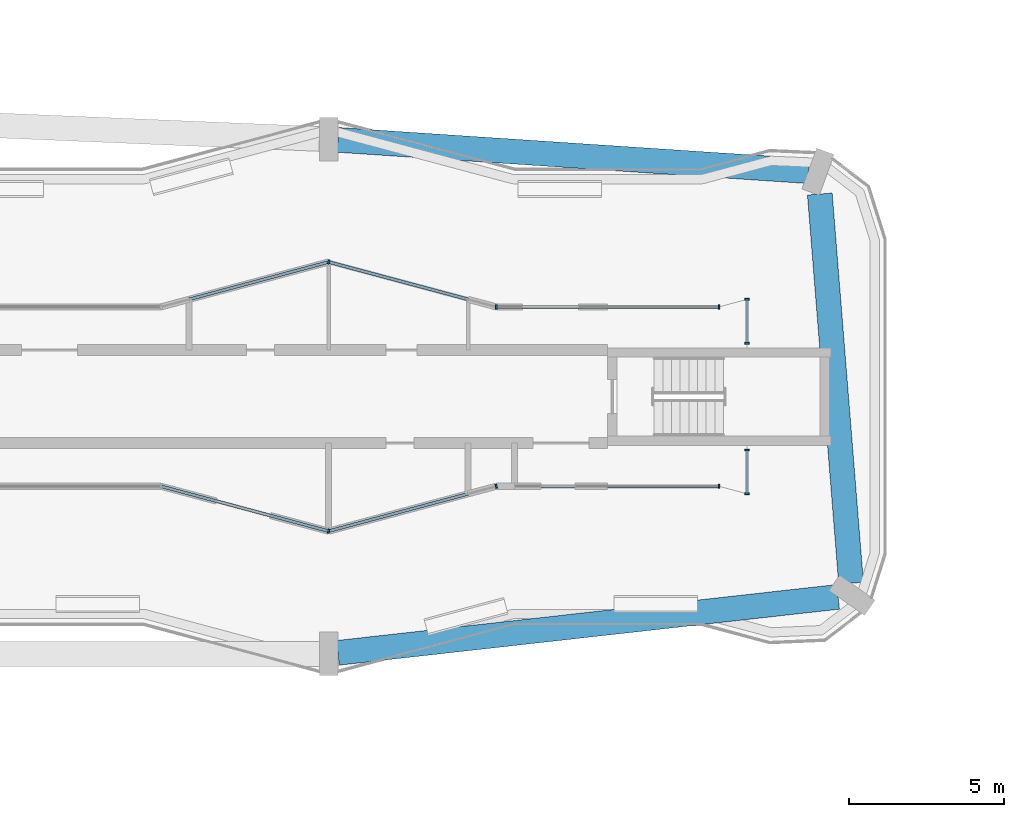
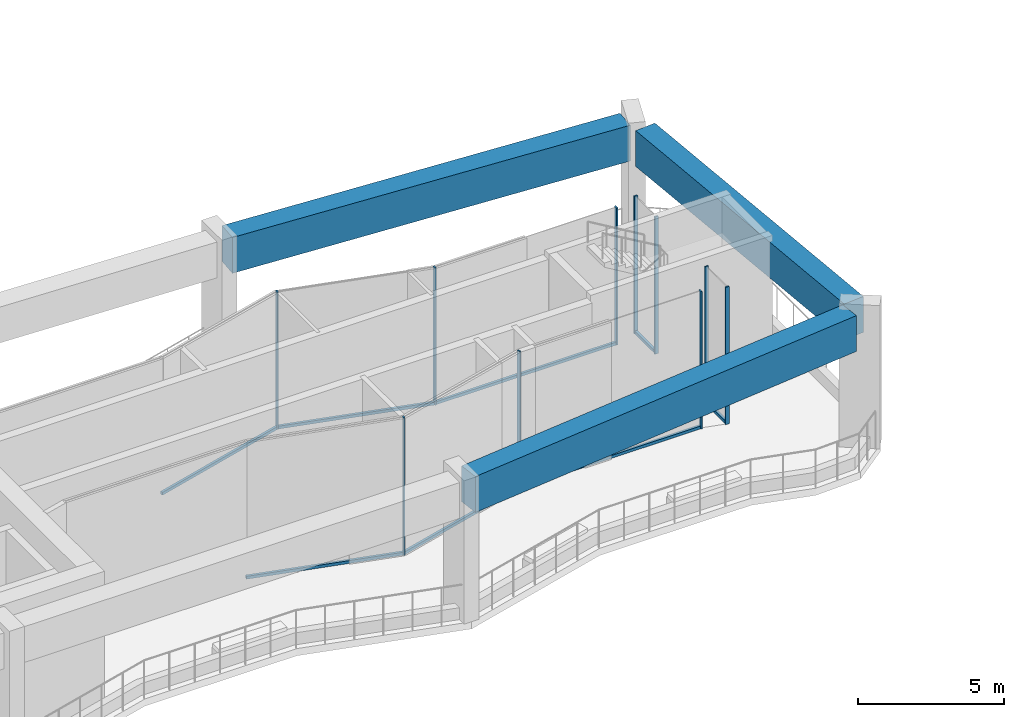
# One storey, part 5 of 24: 18 members, 3 beams, 8 elements without a shape of their own.
"""IFC4 building model written with IfcOpenShell, lengths in metres."""

from ifc_helpers import new_model, si_unit, direction, frame, origin, origin_2d, place, context, subcontext, project, spatial, rectangle, extrude, material, layer, layer_set, material_profile, profile_set, type_object, element, aggregate, save


model = new_model("IFC4")

# Units and contexts
model_context = context("Model", 3, precision=1e-05, world=origin(), true_north=direction((0.0, 1.0)))
body_context = subcontext(model_context, "Body", "Model", "MODEL_VIEW")
ifc_project = project(units=[si_unit("LENGTHUNIT", "METRE"), si_unit("AREAUNIT", "SQUARE_METRE"), si_unit("VOLUMEUNIT", "CUBIC_METRE"), si_unit("PLANEANGLEUNIT", "RADIAN"), si_unit("MASSUNIT", "GRAM", prefix="KILO")], contexts=[model_context])

# Site, building, storey
site_placement = place(None, origin())
site = spatial("IfcSite", under=ifc_project, at=site_placement, CompositionType="ELEMENT")
building_placement = place(site_placement, origin())
building = spatial("IfcBuilding", under=site, at=building_placement, Name="Plateau Cross Towers", CompositionType="ELEMENT")
storey_placement = place(building_placement, frame((0.0, 0.0, 72.300048828125)))
storey = spatial("IfcBuildingStorey", under=building, at=storey_placement, Name="L18", CompositionType="ELEMENT", Elevation=72.300048828125)

# Beams
ifc_material_1 = material(Name="Concrete C60/75", Category="concrete")
ifc_material_profile_1 = material_profile(ifc_material_1, rectangle(XDim=0.800048828125, YDim=1.5, at=origin_2d()), Name="RC 800x1500")
ifc_profile_set_1 = profile_set([ifc_material_profile_1], Name="Concrete C60/75")
beam_type = type_object("IfcBeamType", Name="Belt beam RC 800x1500", PredefinedType="BEAM", material=ifc_profile_set_1)
beam_1_placement = place(storey_placement, frame((36.300048828125, 0.733642578125, 5.0), z_axis=(0.993793168794, 0.111243596035, 0.0), x_axis=(-0.111243596035, 0.993793168794, 0.0)))
element("IfcBeam", 1, at=beam_1_placement, inside=storey, type_object=beam_type, Name="BELT-L18-02", PredefinedType="BEAM", context=body_context, shape_type="SweptSolid", body=[
    extrude(rectangle(XDim=0.800048828125, YDim=1.5, at=origin_2d()), origin(), (0.0, 0.0, 1.0), 16.23388671875),
])
beam_2_placement = place(storey_placement, frame((52.85302734375, 2.97802734375, 5.0), z_axis=(-0.080067998508, 0.996789403844, 0.0), x_axis=(-0.996789403844, -0.080067998508, 0.0)))
element("IfcBeam", 2, at=beam_2_placement, inside=storey, type_object=beam_type, Name="BELT-L18-03", PredefinedType="BEAM", context=body_context, shape_type="SweptSolid", body=[
    extrude(rectangle(XDim=0.800048828125, YDim=1.5, at=origin_2d()), origin(), (0.0, 0.0, 1.0), 12.59619140625),
])
beam_3_placement = place(storey_placement, frame((51.47509765625, 16.272705078125, 5.0), z_axis=(-0.99780408253, 0.06623452941, 0.0), x_axis=(-0.06623452941, -0.99780408253, 0.0)))
element("IfcBeam", 3, at=beam_3_placement, inside=storey, type_object=beam_type, Name="BELT-L18-04", PredefinedType="BEAM", context=body_context, shape_type="SweptSolid", body=[
    extrude(rectangle(XDim=0.800048828125, YDim=1.5, at=origin_2d()), origin(), (0.0, 0.0, 1.0), 15.20849609375),
])

# Curtain wall, member
ifc_material_2 = material(Name="Dark low-iron glass", Category="glass")
ifc_layer = layer(ifc_material_2, 0.239990234375)
ifc_layer_set = layer_set([ifc_layer], Name="Dark low-iron glass")
curtain_wall_type = type_object("IfcCurtainWallType", Name="Curtain wall flush unitised CW-B", PredefinedType="NOTDEFINED", material=ifc_layer_set)
curtain_wall_1_placement = place(storey_placement, origin())
curtain_wall_1 = element("IfcCurtainWall", 4, at=curtain_wall_1_placement, inside=storey, type_object=curtain_wall_type, Name="ENV/A/L18/inner0_360_133", PredefinedType="NOTDEFINED")
ifc_material_3 = material(Name="Black anodised aluminium", Category="aluminium")
ifc_material_profile_2 = material_profile(ifc_material_3, rectangle(XDim=0.06005859375, YDim=0.139892578125, at=origin_2d()), Name="MULLION 60x140")
ifc_profile_set_2 = profile_set([ifc_material_profile_2], Name="Black anodised aluminium")
member_type_1 = type_object("IfcMemberType", Name="Mullion 60x140 flush unitised", PredefinedType="MULLION", material=ifc_profile_set_2)
member_1_placement = place(storey_placement, frame((36.0, 13.34130859375, 0.0), z_axis=(0.0, 0.0, 1.0), x_axis=(0.965957983404, -0.258699003279, 0.0)))
member_1 = element("IfcMember", 5, at=member_1_placement, type_object=member_type_1, Name="CW-B mullion 1", PredefinedType="MULLION", context=body_context, shape_type="SweptSolid", body=[
    extrude(rectangle(XDim=0.06005859375, YDim=0.139892578125, at=origin_2d()), origin(), (0.0, 0.0, 1.0), 5.75),
])

# Curtain wall, members
curtain_wall_2_placement = place(storey_placement, origin())
curtain_wall_2 = element("IfcCurtainWall", 6, at=curtain_wall_2_placement, inside=storey, type_object=curtain_wall_type, Name="ENV/A/L18/inner0_414_119", PredefinedType="NOTDEFINED")
member_2_placement = place(storey_placement, frame((41.407958984375, 11.89306640625, 0.0), z_axis=(0.0, 0.0, 1.0), x_axis=(1.0, 0.0, 0.0)))
member_2 = element("IfcMember", 7, at=member_2_placement, type_object=member_type_1, Name="CW-B mullion 1", PredefinedType="MULLION", context=body_context, shape_type="SweptSolid", body=[
    extrude(rectangle(XDim=0.06005859375, YDim=0.139892578125, at=origin_2d()), origin(), (0.0, 0.0, 1.0), 5.75),
])
member_3_placement = place(storey_placement, frame((48.592041015625, 11.89306640625, 0.0), z_axis=(0.0, 0.0, 1.0), x_axis=(1.0, 0.0, 0.0)))
member_3 = element("IfcMember", 8, at=member_3_placement, type_object=member_type_1, Name="CW-B mullion 2", PredefinedType="MULLION", context=body_context, shape_type="SweptSolid", body=[
    extrude(rectangle(XDim=0.06005859375, YDim=0.139892578125, at=origin_2d()), origin(), (0.0, 0.0, 1.0), 5.75),
])

curtain_wall_3_placement = place(storey_placement, origin())
curtain_wall_3 = element("IfcCurtainWall", 9, at=curtain_wall_3_placement, inside=storey, type_object=curtain_wall_type, Name="ENV/A/L18/inner0_495_121", PredefinedType="NOTDEFINED")
member_4_placement = place(storey_placement, frame((49.5, 12.13623046875, 0.0), z_axis=(0.0, 0.0, 1.0), x_axis=(0.0, -1.0, 0.0)))
member_4 = element("IfcMember", 10, at=member_4_placement, type_object=member_type_1, Name="CW-B mullion 1", PredefinedType="MULLION", context=body_context, shape_type="SweptSolid", body=[
    extrude(rectangle(XDim=0.06005859375, YDim=0.139892578125, at=origin_2d()), origin(), (0.0, 0.0, 1.0), 5.75),
])
member_5_placement = place(storey_placement, frame((49.5, 10.72509765625, 0.0), z_axis=(0.0, 0.0, 1.0), x_axis=(0.0, -1.0, 0.0)))
member_5 = element("IfcMember", 11, at=member_5_placement, type_object=member_type_1, Name="CW-B mullion 2", PredefinedType="MULLION", context=body_context, shape_type="SweptSolid", body=[
    extrude(rectangle(XDim=0.06005859375, YDim=0.139892578125, at=origin_2d()), origin(), (0.0, 0.0, 1.0), 5.75),
])

curtain_wall_4_placement = place(storey_placement, origin())
curtain_wall_4 = element("IfcCurtainWall", 12, at=curtain_wall_4_placement, inside=storey, type_object=curtain_wall_type, Name="ENV/A/L18/inner0_495_73", PredefinedType="NOTDEFINED")
member_6_placement = place(storey_placement, frame((49.5, 7.27490234375, 0.0), z_axis=(0.0, 0.0, 1.0), x_axis=(0.0, -1.0, 0.0)))
member_6 = element("IfcMember", 13, at=member_6_placement, type_object=member_type_1, Name="CW-B mullion 1", PredefinedType="MULLION", context=body_context, shape_type="SweptSolid", body=[
    extrude(rectangle(XDim=0.06005859375, YDim=0.139892578125, at=origin_2d()), origin(), (0.0, 0.0, 1.0), 5.75),
])
member_7_placement = place(storey_placement, frame((49.5, 5.86376953125, 0.0), z_axis=(0.0, 0.0, 1.0), x_axis=(0.0, -1.0, 0.0)))
member_7 = element("IfcMember", 14, at=member_7_placement, type_object=member_type_1, Name="CW-B mullion 2", PredefinedType="MULLION", context=body_context, shape_type="SweptSolid", body=[
    extrude(rectangle(XDim=0.06005859375, YDim=0.139892578125, at=origin_2d()), origin(), (0.0, 0.0, 1.0), 5.75),
])

# Curtain wall, member
curtain_wall_5_placement = place(storey_placement, origin())
curtain_wall_5 = element("IfcCurtainWall", 15, at=curtain_wall_5_placement, inside=storey, type_object=curtain_wall_type, Name="ENV/A/L18/inner0_486_61", PredefinedType="NOTDEFINED")
member_8_placement = place(storey_placement, frame((48.592041015625, 6.10693359375, 0.0), z_axis=(0.0, 0.0, 1.0), x_axis=(-1.0, 0.0, 0.0)))
member_8 = element("IfcMember", 16, at=member_8_placement, type_object=member_type_1, Name="CW-B mullion 1", PredefinedType="MULLION", context=body_context, shape_type="SweptSolid", body=[
    extrude(rectangle(XDim=0.06005859375, YDim=0.139892578125, at=origin_2d()), origin(), (0.0, 0.0, 1.0), 5.75),
])

curtain_wall_6_placement = place(storey_placement, origin())
curtain_wall_6 = element("IfcCurtainWall", 17, at=curtain_wall_6_placement, inside=storey, type_object=curtain_wall_type, Name="ENV/A/L18/inner0_414_61", PredefinedType="NOTDEFINED")
member_9_placement = place(storey_placement, frame((41.407958984375, 6.10693359375, 0.0), z_axis=(0.0, 0.0, 1.0), x_axis=(-0.965957983404, -0.258699003279, 0.0)))
member_9 = element("IfcMember", 18, at=member_9_placement, type_object=member_type_1, Name="CW-B mullion 1", PredefinedType="MULLION", context=body_context, shape_type="SweptSolid", body=[
    extrude(rectangle(XDim=0.06005859375, YDim=0.139892578125, at=origin_2d()), origin(), (0.0, 0.0, 1.0), 5.75),
])

curtain_wall_7_placement = place(storey_placement, origin())
curtain_wall_7 = element("IfcCurtainWall", 19, at=curtain_wall_7_placement, inside=storey, type_object=curtain_wall_type, Name="ENV/A/L18/inner0_360_47", PredefinedType="NOTDEFINED")
member_10_placement = place(storey_placement, frame((36.0, 4.65869140625, 0.0), z_axis=(0.0, 0.0, 1.0), x_axis=(-0.965957983404, 0.258699003279, 0.0)))
member_10 = element("IfcMember", 20, at=member_10_placement, type_object=member_type_1, Name="CW-B mullion 1", PredefinedType="MULLION", context=body_context, shape_type="SweptSolid", body=[
    extrude(rectangle(XDim=0.06005859375, YDim=0.139892578125, at=origin_2d()), origin(), (0.0, 0.0, 1.0), 5.75),
])

curtain_wall_8_placement = place(storey_placement, origin())
curtain_wall_8 = element("IfcCurtainWall", 21, at=curtain_wall_8_placement, inside=storey, type_object=curtain_wall_type, Name="ENV/A/L18/inner0_306_119", PredefinedType="NOTDEFINED")
ifc_material_profile_3 = material_profile(ifc_material_3, rectangle(XDim=0.10009765625, YDim=0.1201171875, at=origin_2d()), Name="TRANSOM 100x120")
ifc_profile_set_3 = profile_set([ifc_material_profile_3], Name="Black anodised aluminium")
member_type_2 = type_object("IfcMemberType", Name="Transom 100x120 flush unitised", PredefinedType="USERDEFINED", material=ifc_profile_set_3)
member_11_placement = place(storey_placement, frame((30.592041015625, 11.89306640625, 0.06005859375), z_axis=(0.965962257376, 0.25868304414, 0.0), x_axis=(-0.25868304414, 0.965962257376, 0.0)))
member_11 = element("IfcMember", 22, at=member_11_placement, type_object=member_type_2, Name="CW-B transom", ObjectType="TRANSOM", PredefinedType="USERDEFINED", context=body_context, shape_type="SweptSolid", body=[
    extrude(rectangle(XDim=0.10009765625, YDim=0.1201171875, at=origin_2d()), origin(), (0.0, 0.0, 1.0), 5.5986328125),
])
aggregate(curtain_wall_8, [member_11])

# Member
member_12_placement = place(storey_placement, frame((36.0, 13.34130859375, 0.06005859375), z_axis=(0.965962257376, -0.25868304414, 0.0), x_axis=(0.25868304414, 0.965962257376, 0.0)))
member_12 = element("IfcMember", 23, at=member_12_placement, type_object=member_type_2, Name="CW-B transom", ObjectType="TRANSOM", PredefinedType="USERDEFINED", context=body_context, shape_type="SweptSolid", body=[
    extrude(rectangle(XDim=0.10009765625, YDim=0.1201171875, at=origin_2d()), origin(), (0.0, 0.0, 1.0), 5.5986328125),
])

aggregate(curtain_wall_1, [member_1, member_12])

member_13_placement = place(storey_placement, frame((41.407958984375, 11.89306640625, 0.06005859375), z_axis=(1.0, 0.0, 0.0), x_axis=(0.0, 1.0, 0.0)))
member_13 = element("IfcMember", 24, at=member_13_placement, type_object=member_type_2, Name="CW-B transom", ObjectType="TRANSOM", PredefinedType="USERDEFINED", context=body_context, shape_type="SweptSolid", body=[
    extrude(rectangle(XDim=0.10009765625, YDim=0.1201171875, at=origin_2d()), origin(), (0.0, 0.0, 1.0), 7.18408203125),
])

aggregate(curtain_wall_2, [member_2, member_3, member_13])

member_14_placement = place(storey_placement, frame((49.5, 12.13623046875, 0.06005859375), z_axis=(0.0, -1.0, 0.0), x_axis=(1.0, 0.0, 0.0)))
member_14 = element("IfcMember", 25, at=member_14_placement, type_object=member_type_2, Name="CW-B transom", ObjectType="TRANSOM", PredefinedType="USERDEFINED", context=body_context, shape_type="SweptSolid", body=[
    extrude(rectangle(XDim=0.10009765625, YDim=0.1201171875, at=origin_2d()), origin(), (0.0, 0.0, 1.0), 1.4111328125),
])

aggregate(curtain_wall_3, [member_4, member_5, member_14])

member_15_placement = place(storey_placement, frame((49.5, 7.27490234375, 0.06005859375), z_axis=(0.0, -1.0, 0.0), x_axis=(1.0, 0.0, 0.0)))
member_15 = element("IfcMember", 26, at=member_15_placement, type_object=member_type_2, Name="CW-B transom", ObjectType="TRANSOM", PredefinedType="USERDEFINED", context=body_context, shape_type="SweptSolid", body=[
    extrude(rectangle(XDim=0.10009765625, YDim=0.1201171875, at=origin_2d()), origin(), (0.0, 0.0, 1.0), 1.4111328125),
])

aggregate(curtain_wall_4, [member_6, member_7, member_15])

member_16_placement = place(storey_placement, frame((48.592041015625, 6.10693359375, 0.06005859375), z_axis=(-1.0, 0.0, 0.0), x_axis=(0.0, -1.0, 0.0)))
member_16 = element("IfcMember", 27, at=member_16_placement, type_object=member_type_2, Name="CW-B transom", ObjectType="TRANSOM", PredefinedType="USERDEFINED", context=body_context, shape_type="SweptSolid", body=[
    extrude(rectangle(XDim=0.10009765625, YDim=0.1201171875, at=origin_2d()), origin(), (0.0, 0.0, 1.0), 7.18408203125),
])

aggregate(curtain_wall_5, [member_8, member_16])

member_17_placement = place(storey_placement, frame((41.407958984375, 6.10693359375, 0.06005859375), z_axis=(-0.965962257376, -0.25868304414, 0.0), x_axis=(0.25868304414, -0.965962257376, 0.0)))
member_17 = element("IfcMember", 28, at=member_17_placement, type_object=member_type_2, Name="CW-B transom", ObjectType="TRANSOM", PredefinedType="USERDEFINED", context=body_context, shape_type="SweptSolid", body=[
    extrude(rectangle(XDim=0.10009765625, YDim=0.1201171875, at=origin_2d()), origin(), (0.0, 0.0, 1.0), 5.5986328125),
])

aggregate(curtain_wall_6, [member_9, member_17])

member_18_placement = place(storey_placement, frame((36.0, 4.65869140625, 0.06005859375), z_axis=(-0.965962257376, 0.25868304414, 0.0), x_axis=(-0.25868304414, -0.965962257376, 0.0)))
member_18 = element("IfcMember", 29, at=member_18_placement, type_object=member_type_2, Name="CW-B transom", ObjectType="TRANSOM", PredefinedType="USERDEFINED", context=body_context, shape_type="SweptSolid", body=[
    extrude(rectangle(XDim=0.10009765625, YDim=0.1201171875, at=origin_2d()), origin(), (0.0, 0.0, 1.0), 5.5986328125),
])

aggregate(curtain_wall_7, [member_10, member_18])

save(model, "model.ifc")
